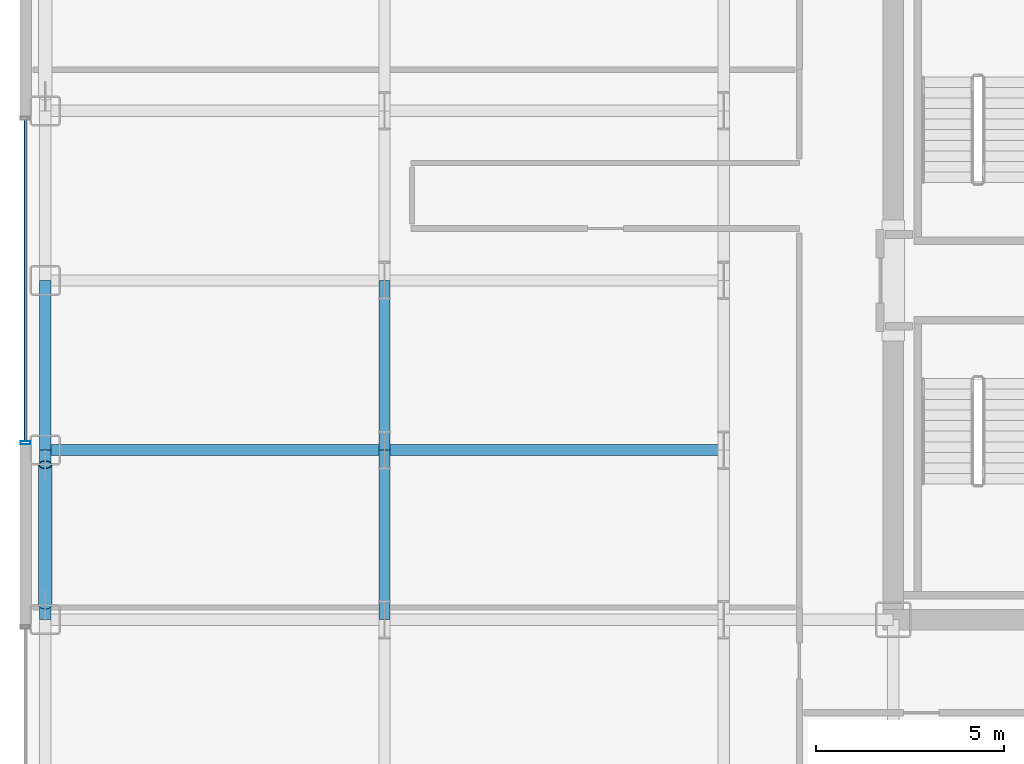
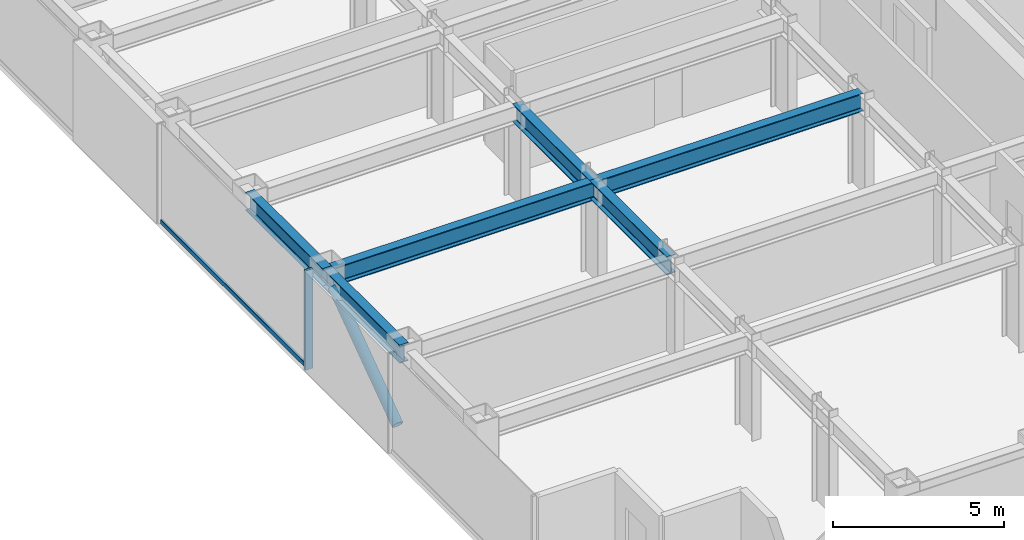
# One storey, part 5 of 29: 6 beams, 3 members, 1 element without a shape of its own.
"""IFC4 building model written with IfcOpenShell, lengths in metres."""

from ifc_helpers import new_model, si_unit, direction, frame, origin, origin_2d, place, context, subcontext, project, spatial, hollow_rectangle, hollow_circle, i_section, extrude, source, transform, mapped, material, layer, layer_set, material_profile, profile_set, type_object, element, aggregate, save


model = new_model("IFC4")

# Units and contexts
model_context = context("Model", 3, precision=1e-05, world=origin(), true_north=direction((0.0, 1.0)))
body_context = subcontext(model_context, "Body", "Model", "MODEL_VIEW")
ifc_project = project(units=[si_unit("LENGTHUNIT", "METRE"), si_unit("AREAUNIT", "SQUARE_METRE"), si_unit("VOLUMEUNIT", "CUBIC_METRE"), si_unit("PLANEANGLEUNIT", "RADIAN"), si_unit("MASSUNIT", "GRAM", prefix="KILO")], contexts=[model_context])

# Site, building, storey
site_placement = place(None, origin())
site = spatial("IfcSite", under=ifc_project, at=site_placement, CompositionType="ELEMENT")
building_placement = place(site_placement, origin())
building = spatial("IfcBuilding", under=site, at=building_placement, Name="Nefas-Gora Pilgrimage Tower", CompositionType="ELEMENT")
storey_placement = place(building_placement, frame((0.0, 0.0, 125.0)))
storey = spatial("IfcBuildingStorey", under=building, at=storey_placement, Name="L30", CompositionType="ELEMENT", Elevation=125.0)

# Beams
ifc_material_1 = material(Name="Steel S355", Category="steel")
ifc_material_profile_1 = material_profile(ifc_material_1, i_section(OverallWidth=0.300048828125, OverallDepth=0.64990234375, WebThickness=0.01611328125, FlangeThickness=0.031005859375, FilletRadius=0.027099609375, at=origin_2d()), Name="HEB 650")
ifc_profile_set_1 = profile_set([ifc_material_profile_1], Name="Steel S355")
beam_type_1 = type_object("IfcBeamType", Name="BM-SPN-HEB500", PredefinedType="SPANDREL", material=ifc_profile_set_1)
shared_shape_1 = source(origin(), body_context, "Body", "SweptSolid", [
    extrude(i_section(OverallWidth=0.300048828125, OverallDepth=0.64990234375, WebThickness=0.01611328125, FlangeThickness=0.031005859375, FilletRadius=0.027099609375, at=origin_2d()), origin(), (0.0, 0.0, 1.0), 4.5),
])
for number, where, z_axis, x_axis, name in (
    (1, (-33.75, -9.0, 3.22509765625), (0.0, 1.0, 0.0), (-1.0, 0.0, 0.0), "L30 SP-02 beam"),
    (2, (-33.75, -4.5, 3.22509765625), (0.0, 1.0, 0.0), (-1.0, 0.0, 0.0), "L30 SP-02 beam"),
):
    element("IfcBeam", number, at=place(storey_placement, frame(where, z_axis=z_axis, x_axis=x_axis)), inside=storey, type_object=beam_type_1, Name=name, PredefinedType="SPANDREL", context=body_context, shape_type="MappedRepresentation", body=[
        mapped(shared_shape_1, transform((0.0, 0.0, 0.0), x_axis=(1.0, 0.0, 0.0), y_axis=(0.0, 1.0, 0.0), z_axis=(0.0, 0.0, 1.0), scale=1.0)),
    ])
ifc_material_profile_2 = material_profile(ifc_material_1, i_section(OverallWidth=0.300048828125, OverallDepth=0.64990234375, WebThickness=0.01611328125, FlangeThickness=0.031005859375, FilletRadius=0.027099609375, at=origin_2d()), Name="HEB 650")
ifc_profile_set_2 = profile_set([ifc_material_profile_2], Name="Steel S355")
beam_type_2 = type_object("IfcBeamType", Name="BM-GIR-HEB650", PredefinedType="BEAM", material=ifc_profile_set_2)
shared_shape_2 = source(origin(), body_context, "Body", "SweptSolid", [
    extrude(i_section(OverallWidth=0.300048828125, OverallDepth=0.64990234375, WebThickness=0.01611328125, FlangeThickness=0.031005859375, FilletRadius=0.027099609375, at=origin_2d()), origin(), (0.0, 0.0, 1.0), 9.0),
])
for number, where, z_axis, x_axis, name in (
    (3, (-33.75, -4.5, 3.22509765625), (1.0, 0.0, 0.0), (0.0, 1.0, 0.0), "L30 G-03 beam"),
    (4, (-24.75, -4.5, 3.22509765625), (1.0, 0.0, 0.0), (0.0, 1.0, 0.0), "L30 G-03 beam"),
):
    element("IfcBeam", number, at=place(storey_placement, frame(where, z_axis=z_axis, x_axis=x_axis)), inside=storey, type_object=beam_type_2, Name=name, PredefinedType="BEAM", context=body_context, shape_type="MappedRepresentation", body=[
        mapped(shared_shape_2, transform((0.0, 0.0, 0.0), x_axis=(1.0, 0.0, 0.0), y_axis=(0.0, 1.0, 0.0), z_axis=(0.0, 0.0, 1.0), scale=1.0)),
    ])
shared_shape_3 = source(origin(), body_context, "Body", "SweptSolid", [
    extrude(i_section(OverallWidth=0.300048828125, OverallDepth=0.64990234375, WebThickness=0.01611328125, FlangeThickness=0.031005859375, FilletRadius=0.027099609375, at=origin_2d()), origin(), (0.0, 0.0, 1.0), 4.5),
])
for number, where, z_axis, x_axis, name in (
    (5, (-24.75, -9.0, 3.22509765625), (0.0, 1.0, 0.0), (-1.0, 0.0, 0.0), "L30 G-03 beam"),
    (6, (-24.75, -4.5, 3.22509765625), (0.0, 1.0, 0.0), (-1.0, 0.0, 0.0), "L30 G-03 beam"),
):
    element("IfcBeam", number, at=place(storey_placement, frame(where, z_axis=z_axis, x_axis=x_axis)), inside=storey, type_object=beam_type_2, Name=name, PredefinedType="BEAM", context=body_context, shape_type="MappedRepresentation", body=[
        mapped(shared_shape_3, transform((0.0, 0.0, 0.0), x_axis=(1.0, 0.0, 0.0), y_axis=(0.0, 1.0, 0.0), z_axis=(0.0, 0.0, 1.0), scale=1.0)),
    ])

# Member
ifc_material_2 = material(Name="Steel S460", Category="steel")
ifc_material_profile_3 = material_profile(ifc_material_2, hollow_circle(Radius=0.177734375, WallThickness=0.02001953125, at=origin_2d()), Name="CHS 355.6x20")
ifc_profile_set_3 = profile_set([ifc_material_profile_3], Name="Steel S460")
member_type_1 = type_object("IfcMemberType", Name="MEM-TUBE-356", PredefinedType="BRACE", material=ifc_profile_set_3)
shared_shape_4 = source(origin(), body_context, "Body", "SweptSolid", [
    extrude(hollow_circle(Radius=0.177734375, WallThickness=0.02001953125, at=origin_2d()), origin(), (0.0, 0.0, 1.0), 4.579345703125),
])
member_1_placement = place(storey_placement, frame((-33.75, -8.612060546875, 0.427490234375), z_axis=(0.0, 0.813246879171, 0.581918820385), x_axis=(-1.0, 0.0, 0.0)))
element("IfcMember", 7, at=member_1_placement, inside=storey, type_object=member_type_1, Name="L30 Perimeter Tube Diagonal Brace W1", PredefinedType="BRACE", context=body_context, shape_type="MappedRepresentation", body=[
    mapped(shared_shape_4, transform((0.0, 0.0, 0.0), x_axis=(1.0, 0.0, 0.0), y_axis=(0.0, 1.0, 0.0), z_axis=(0.0, 0.0, 1.0), scale=1.0)),
])

# Curtain wall, members
ifc_material_3 = material(Name="Dark ceramic-fritted solar-control aluminium-glass curtain wall", Category="aluminium")
ifc_layer = layer(ifc_material_3, 0.219970703125)
ifc_layer_set = layer_set([ifc_layer], Name="Dark ceramic-fritted solar-control aluminium-glass curtain wall")
curtain_wall_type = type_object("IfcCurtainWallType", Name="CW-SYS-2", PredefinedType="NOTDEFINED", material=ifc_layer_set)
curtain_wall_placement = place(storey_placement, origin())
curtain_wall = element("IfcCurtainWall", 8, at=curtain_wall_placement, inside=storey, type_object=curtain_wall_type, Name="L30 Unitised Curtain Wall CW2", PredefinedType="NOTDEFINED")
ifc_material_4 = material(Name="Anodised architectural aluminium", Category="aluminium")
ifc_material_profile_4 = material_profile(ifc_material_4, hollow_rectangle(XDim=0.090087890625, YDim=0.260009765625, WallThickness=0.006103515625, InnerFilletRadius=0.006103515625, OuterFilletRadius=0.011962890625, at=origin_2d()), Name="ALU MULLION 90x260")
ifc_profile_set_4 = profile_set([ifc_material_profile_4], Name="Anodised architectural aluminium")
member_type_2 = type_object("IfcMemberType", Name="CWM-MUL-2", PredefinedType="MULLION", material=ifc_profile_set_4)
shared_shape_5 = source(origin(), body_context, "Body", "SweptSolid", [
    extrude(hollow_rectangle(XDim=0.090087890625, YDim=0.260009765625, WallThickness=0.006103515625, InnerFilletRadius=0.006103515625, OuterFilletRadius=0.011962890625, at=origin_2d()), origin(), (0.0, 0.0, 1.0), 3.550048828125),
])
member_2_placement = place(storey_placement, frame((-34.27001953125, -4.304931640625, 0.0), z_axis=(0.0, 0.0, 1.0), x_axis=(0.0, -1.0, 0.0)))
member_2 = element("IfcMember", 9, at=member_2_placement, type_object=member_type_2, Name="CW2 Mullion 2", PredefinedType="MULLION", context=body_context, shape_type="MappedRepresentation", body=[
    mapped(shared_shape_5, transform((0.0, 0.0, 0.0), x_axis=(1.0, 0.0, 0.0), y_axis=(0.0, 1.0, 0.0), z_axis=(0.0, 0.0, 1.0), scale=1.0)),
])
ifc_material_profile_5 = material_profile(ifc_material_4, hollow_rectangle(XDim=0.080078125, YDim=0.159912109375, WallThickness=0.00439453125, InnerFilletRadius=0.00439453125, OuterFilletRadius=0.009033203125, at=origin_2d()), Name="ALU TRANSOM 80x160")
ifc_profile_set_5 = profile_set([ifc_material_profile_5], Name="Anodised architectural aluminium")
member_type_3 = type_object("IfcMemberType", Name="CWM-TRN-2", PredefinedType="USERDEFINED", material=ifc_profile_set_5)
shared_shape_6 = source(origin(), body_context, "Body", "SweptSolid", [
    extrude(hollow_rectangle(XDim=0.080078125, YDim=0.159912109375, WallThickness=0.00439453125, InnerFilletRadius=0.00439453125, OuterFilletRadius=0.009033203125, at=origin_2d()), origin(), (0.0, 0.0, 1.0), 8.52001953125),
])
member_3_placement = place(storey_placement, frame((-34.27001953125, 4.260009765625, 0.050048828125), z_axis=(0.0, -1.0, 0.0), x_axis=(1.0, 0.0, 0.0)))
member_3 = element("IfcMember", 10, at=member_3_placement, type_object=member_type_3, Name="CW2 Spandrel Transom", ObjectType="TRANSOM", PredefinedType="USERDEFINED", context=body_context, shape_type="MappedRepresentation", body=[
    mapped(shared_shape_6, transform((0.0, 0.0, 0.0), x_axis=(1.0, 0.0, 0.0), y_axis=(0.0, 1.0, 0.0), z_axis=(0.0, 0.0, 1.0), scale=1.0)),
])
aggregate(curtain_wall, [member_2, member_3])

save(model, "model.ifc")
